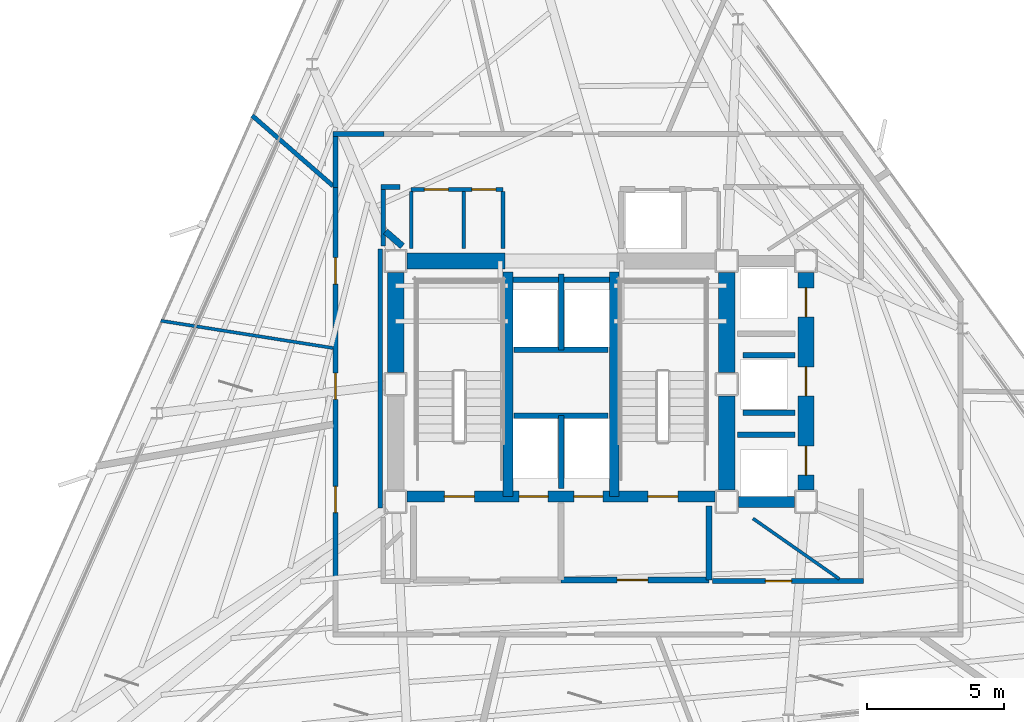
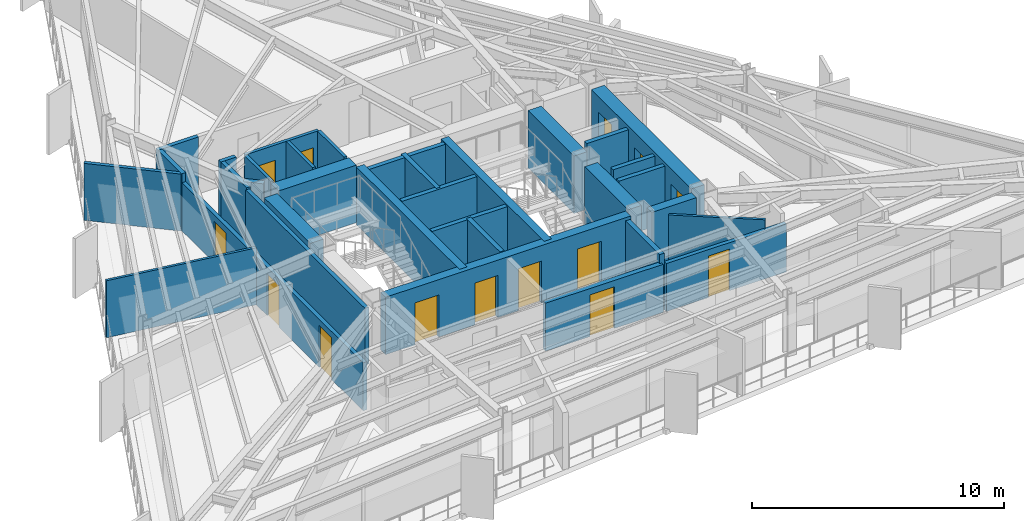
# One storey, part 8 of 12: 34 walls, 14 doors, 14 openings.
"""IFC4 building model written with IfcOpenShell, lengths in metres."""

from ifc_helpers import new_model, si_unit, direction, frame, frame_2d, origin, place, context, subcontext, project, spatial, rectangle, extrude, material, layer, layer_set, type_object, element, fill, save


model = new_model("IFC4")

# Units and contexts
model_context = context("Model", 3, precision=1e-05, world=origin(), true_north=direction((0.0, 1.0)))
body_context = subcontext(model_context, "Body", "Model", "MODEL_VIEW")
ifc_project = project(units=[si_unit("LENGTHUNIT", "METRE"), si_unit("AREAUNIT", "SQUARE_METRE"), si_unit("VOLUMEUNIT", "CUBIC_METRE"), si_unit("PLANEANGLEUNIT", "RADIAN"), si_unit("MASSUNIT", "GRAM", prefix="KILO")], contexts=[model_context])

# Site, building, storey
site_placement = place(None, origin())
site = spatial("IfcSite", under=ifc_project, at=site_placement, CompositionType="ELEMENT")
building_placement = place(site_placement, origin())
building = spatial("IfcBuilding", under=site, at=building_placement, Name="Rocaltana Carrier Exchange", CompositionType="ELEMENT")
storey_placement = place(building_placement, frame((0.0, 0.0, 116.800048828125)))
storey = spatial("IfcBuildingStorey", under=building, at=storey_placement, Name="L36", CompositionType="ELEMENT", Elevation=116.800048828125)

# Walls
ifc_material_1 = material(Name="Double Acoustic Gypsum Partition", Category="gypsum")
ifc_layer_1 = layer(ifc_material_1, 0.159912109375)
ifc_layer_set_1 = layer_set([ifc_layer_1], Name="Double Acoustic Gypsum Partition")
wall_type_1 = type_object("IfcWallType", Name="Acoustic Studio Partition 160 EI60", PredefinedType="PARTITIONING", material=ifc_layer_set_1)
wall_1_placement = place(storey_placement, frame((-8.330078125, 7.2412109375, 0.0), z_axis=(0.0, 0.0, 1.0), x_axis=(-0.754715330954, 0.656052413472, 0.0)))
element("IfcWall", 1, at=wall_1_placement, inside=storey, type_object=wall_type_1, Name="L36 Suite Divider Wall D14", PredefinedType="PARTITIONING", context=body_context, shape_type="SweptSolid", body=[
    extrude(rectangle(XDim=3.924560546875, YDim=0.159912109375, at=frame_2d((1.96240234375, 0.0))), origin(), (0.0, 0.0, 1.0), 2.762939453125),
])
ifc_material_2 = material(Name="Concrete C50/60", Category="concrete")
ifc_layer_2 = layer(ifc_material_2, 0.35009765625)
ifc_layer_set_2 = layer_set([ifc_layer_2], Name="Concrete C50/60")
wall_type_2 = type_object("IfcWallType", Name="Core Internal Shear Wall 350", PredefinedType="SHEAR", material=ifc_layer_set_2)
for number, where, z_axis, x_axis, name in (
    (2, (-1.93994140625, -4.10009765625, 0.0), (0.0, 0.0, 1.0), (0.0, 1.0, 0.0), "L36 Core Shear Wall CW-STW"),
    (3, (1.93994140625, -4.10009765625, 0.0), (0.0, 0.0, 1.0), (0.0, 1.0, 0.0), "L36 Core Shear Wall CW-STE"),
):
    element("IfcWall", number, at=place(storey_placement, frame(where, z_axis=z_axis, x_axis=x_axis)), inside=storey, type_object=wall_type_2, Name=name, PredefinedType="SHEAR", context=body_context, shape_type="SweptSolid", body=[
        extrude(rectangle(XDim=8.2001953125, YDim=0.35009765625, at=frame_2d((4.10009765625, 0.0))), origin(), (0.0, 0.0, 1.0), 2.787841796875),
    ])

# Wall, openings, doors
ifc_material_3 = material(Name="Concrete C50/60", Category="concrete")
ifc_layer_3 = layer(ifc_material_3, 0.39990234375)
ifc_layer_set_3 = layer_set([ifc_layer_3], Name="Concrete C50/60")
wall_type_3 = type_object("IfcWallType", Name="Core Internal Shear Wall 400", PredefinedType="SHEAR", material=ifc_layer_set_3)
wall_2_placement = place(storey_placement, frame((-5.625, -4.10009765625, 0.0), z_axis=(0.0, 0.0, 1.0), x_axis=(1.0, 0.0, 0.0)))
wall_2 = element("IfcWall", 4, at=wall_2_placement, inside=storey, type_object=wall_type_3, Name="L36 Core Shear Wall CW-S", PredefinedType="SHEAR", context=body_context, shape_type="SweptSolid", body=[
    extrude(rectangle(XDim=11.25, YDim=0.39990234375, at=frame_2d((5.625, 0.0))), origin(), (0.0, 0.0, 1.0), 2.787841796875),
])
opening_1_placement = place(wall_2_placement, frame((1.35498046875, 0.0, 0.0)))
opening_1 = element("IfcOpeningElement", 5, at=opening_1_placement, cuts=wall_2, Name="Opening D-ST110", PredefinedType="OPENING", context=body_context, shape_type="SweptSolid", body=[
    extrude(rectangle(XDim=1.10009765625, YDim=2.0400390625, at=frame_2d((0.550048828125, 1.02001953125))), frame((0.0, 0.2099609375, 0.0), z_axis=(0.0, -1.0, 0.0), x_axis=(1.0, 0.0, 0.0)), (0.0, 0.0, 1.0), 0.419921875),
])
opening_2_placement = place(wall_2_placement, frame((8.794921875, 0.0, 0.0)))
opening_2 = element("IfcOpeningElement", 6, at=opening_2_placement, cuts=wall_2, Name="Opening D-ST110", PredefinedType="OPENING", context=body_context, shape_type="SweptSolid", body=[
    extrude(rectangle(XDim=1.10009765625, YDim=2.0400390625, at=frame_2d((0.550048828125, 1.02001953125))), frame((0.0, 0.2099609375, 0.0), z_axis=(0.0, -1.0, 0.0), x_axis=(1.0, 0.0, 0.0)), (0.0, 0.0, 1.0), 0.419921875),
])
opening_3_placement = place(wall_2_placement, frame((4.094970703125, 0.0, 0.0)))
opening_3 = element("IfcOpeningElement", 7, at=opening_3_placement, cuts=wall_2, Name="Opening LD-110", PredefinedType="OPENING", context=body_context, shape_type="SweptSolid", body=[
    extrude(rectangle(XDim=1.06005859375, YDim=2.0400390625, at=frame_2d((0.530029296875, 1.02001953125))), frame((0.0, 0.2099609375, 0.0), z_axis=(0.0, -1.0, 0.0), x_axis=(1.0, 0.0, 0.0)), (0.0, 0.0, 1.0), 0.419921875),
])
opening_4_placement = place(wall_2_placement, frame((6.094970703125, 0.0, 0.0)))
opening_4 = element("IfcOpeningElement", 8, at=opening_4_placement, cuts=wall_2, Name="Opening LD-110", PredefinedType="OPENING", context=body_context, shape_type="SweptSolid", body=[
    extrude(rectangle(XDim=1.06005859375, YDim=2.0400390625, at=frame_2d((0.530029296875, 1.02001953125))), frame((0.0, 0.2099609375, 0.0), z_axis=(0.0, -1.0, 0.0), x_axis=(1.0, 0.0, 0.0)), (0.0, 0.0, 1.0), 0.419921875),
])
ifc_material_4 = material(Name="Hollow Metal Fire Door Assembly", Category="steel")
door_type_1 = type_object("IfcDoorType", Name="Exit Stair Fire Door 1100x2040 FD90S", OperationType="NOTDEFINED", PredefinedType="DOOR", material=ifc_material_4)
door_1_placement = place(opening_1_placement, origin())
door_1 = element("IfcDoor", 9, at=door_1_placement, inside=storey, type_object=door_type_1, Name="L36 Exit Stair ST1 Fire Door", OperationType="SINGLE_SWING_LEFT", OverallHeight=2.0400390625, OverallWidth=1.10009765625, PredefinedType="DOOR", context=body_context, shape_type="SweptSolid", body=[
    extrude(rectangle(XDim=1.10009765625, YDim=2.0400390625, at=frame_2d((0.550048828125, 1.02001953125))), frame((0.0, 0.02490234375, 0.0), z_axis=(0.0, -1.0, 0.0), x_axis=(1.0, 0.0, 0.0)), (0.0, 0.0, 1.0), 0.050048828125),
])
fill(opening_1, door_1)
door_2_placement = place(opening_2_placement, origin())
door_2 = element("IfcDoor", 10, at=door_2_placement, inside=storey, type_object=door_type_1, Name="L36 Exit Stair ST2 Fire Door", OperationType="SINGLE_SWING_RIGHT", OverallHeight=2.0400390625, OverallWidth=1.10009765625, PredefinedType="DOOR", context=body_context, shape_type="SweptSolid", body=[
    extrude(rectangle(XDim=1.10009765625, YDim=2.0400390625, at=frame_2d((0.550048828125, 1.02001953125))), frame((0.0, 0.02490234375, 0.0), z_axis=(0.0, -1.0, 0.0), x_axis=(1.0, 0.0, 0.0)), (0.0, 0.0, 1.0), 0.050048828125),
])
fill(opening_2, door_2)
ifc_material_5 = material(Name="Brushed Stainless Sliding Door Leaf", Category="steel")
door_type_2 = type_object("IfcDoorType", Name="Lift Landing Sliding Door 1060x2040", OperationType="NOTDEFINED", PredefinedType="DOOR", material=ifc_material_5)
door_3_placement = place(opening_3_placement, origin())
door_3 = element("IfcDoor", 11, at=door_3_placement, inside=storey, type_object=door_type_2, Name="L36 Firefighting Lift FFL1 Landing Door", OperationType="SLIDING_TO_LEFT", OverallHeight=2.0400390625, OverallWidth=1.06005859375, PredefinedType="DOOR", context=body_context, shape_type="SweptSolid", body=[
    extrude(rectangle(XDim=1.06005859375, YDim=2.0400390625, at=frame_2d((0.530029296875, 1.02001953125))), frame((0.0, 0.02490234375, 0.0), z_axis=(0.0, -1.0, 0.0), x_axis=(1.0, 0.0, 0.0)), (0.0, 0.0, 1.0), 0.050048828125),
])
fill(opening_3, door_3)
door_4_placement = place(opening_4_placement, origin())
door_4 = element("IfcDoor", 12, at=door_4_placement, inside=storey, type_object=door_type_2, Name="L36 Firefighting Lift FFL2 Landing Door", OperationType="SLIDING_TO_RIGHT", OverallHeight=2.0400390625, OverallWidth=1.06005859375, PredefinedType="DOOR", context=body_context, shape_type="SweptSolid", body=[
    extrude(rectangle(XDim=1.06005859375, YDim=2.0400390625, at=frame_2d((0.530029296875, 1.02001953125))), frame((0.0, 0.02490234375, 0.0), z_axis=(0.0, -1.0, 0.0), x_axis=(1.0, 0.0, 0.0)), (0.0, 0.0, 1.0), 0.050048828125),
])
fill(opening_4, door_4)

# Walls
wall_3_placement = place(storey_placement, frame((6.47509765625, -4.300048828125, 0.0), z_axis=(0.0, 0.0, 1.0), x_axis=(1.0, 0.0, 0.0)))
element("IfcWall", 13, at=wall_3_placement, inside=storey, type_object=wall_type_3, Name="L36 Core Shear Wall CW-EWS", PredefinedType="SHEAR", context=body_context, shape_type="SweptSolid", body=[
    extrude(rectangle(XDim=2.0498046875, YDim=0.39990234375, at=frame_2d((1.02490234375, 0.0))), origin(), (0.0, 0.0, 1.0), 2.787841796875),
])
ifc_material_6 = material(Name="Concrete C50/60", Category="concrete")
ifc_layer_4 = layer(ifc_material_6, 0.60009765625)
ifc_layer_set_4 = layer_set([ifc_layer_4], Name="Concrete C50/60")
wall_type_4 = type_object("IfcWallType", Name="Core Shear Wall 600", PredefinedType="SHEAR", material=ifc_layer_set_4)
for number, where, z_axis, x_axis, name in (
    (14, (-6.050048828125, 0.425048828125, 0.0), (0.0, 0.0, 1.0), (0.0, 1.0, 0.0), "L36 Core Shear Wall CW-WN"),
    (15, (6.050048828125, 0.425048828125, 0.0), (0.0, 0.0, 1.0), (0.0, 1.0, 0.0), "L36 Core Shear Wall CW-EN"),
):
    element("IfcWall", number, at=place(storey_placement, frame(where, z_axis=z_axis, x_axis=x_axis)), inside=storey, type_object=wall_type_4, Name=name, PredefinedType="SHEAR", context=body_context, shape_type="SweptSolid", body=[
        extrude(rectangle(XDim=3.64990234375, YDim=0.60009765625, at=frame_2d((1.824951171875, 0.0))), origin(), (0.0, 0.0, 1.0), 2.787841796875),
    ])
wall_4_placement = place(storey_placement, frame((6.050048828125, -3.875, 0.0), z_axis=(0.0, 0.0, 1.0), x_axis=(0.0, 1.0, 0.0)))
element("IfcWall", 16, at=wall_4_placement, inside=storey, type_object=wall_type_4, Name="L36 Core Shear Wall CW-ES", PredefinedType="SHEAR", context=body_context, shape_type="SweptSolid", body=[
    extrude(rectangle(XDim=3.449951171875, YDim=0.60009765625, at=frame_2d((1.72509765625, 0.0))), origin(), (0.0, 0.0, 1.0), 2.787841796875),
])
wall_5_placement = place(storey_placement, frame((-5.625, 4.5, 0.0), z_axis=(0.0, 0.0, 1.0), x_axis=(1.0, 0.0, 0.0)))
element("IfcWall", 17, at=wall_5_placement, inside=storey, type_object=wall_type_4, Name="L36 Core Shear Wall CW-N1", PredefinedType="SHEAR", context=body_context, shape_type="SweptSolid", body=[
    extrude(rectangle(XDim=3.574951171875, YDim=0.60009765625, at=frame_2d((1.78759765625, 0.0))), origin(), (0.0, 0.0, 1.0), 2.787841796875),
])

# Wall, openings, doors
wall_6_placement = place(storey_placement, frame((8.949951171875, -3.875, 0.0), z_axis=(0.0, 0.0, 1.0), x_axis=(0.0, 1.0, 0.0)))
wall_6 = element("IfcWall", 18, at=wall_6_placement, inside=storey, type_object=wall_type_4, Name="L36 Core Shear Wall CW-EW", PredefinedType="SHEAR", context=body_context, shape_type="SweptSolid", body=[
    extrude(rectangle(XDim=7.949951171875, YDim=0.60009765625, at=frame_2d((3.97509765625, 0.0))), origin(), (0.0, 0.0, 1.0), 2.787841796875),
])
opening_5_placement = place(wall_6_placement, frame((0.550048828125, 0.0, 0.0)))
opening_5 = element("IfcOpeningElement", 19, at=opening_5_placement, cuts=wall_6, Name="Opening LD-110", PredefinedType="OPENING", context=body_context, shape_type="SweptSolid", body=[
    extrude(rectangle(XDim=1.06005859375, YDim=2.0400390625, at=frame_2d((0.530029296875, 1.02001953125))), frame((0.0, 0.31005859375, 0.0), z_axis=(0.0, -1.0, 0.0), x_axis=(1.0, 0.0, 0.0)), (0.0, 0.0, 1.0), 0.6201171875),
])
opening_6_placement = place(wall_6_placement, frame((3.445068359375, 0.0, 0.0)))
opening_6 = element("IfcOpeningElement", 20, at=opening_6_placement, cuts=wall_6, Name="Opening LD-110", PredefinedType="OPENING", context=body_context, shape_type="SweptSolid", body=[
    extrude(rectangle(XDim=1.06005859375, YDim=2.0400390625, at=frame_2d((0.530029296875, 1.02001953125))), frame((0.0, 0.31005859375, 0.0), z_axis=(0.0, -1.0, 0.0), x_axis=(1.0, 0.0, 0.0)), (0.0, 0.0, 1.0), 0.6201171875),
])
opening_7_placement = place(wall_6_placement, frame((6.330078125, 0.0, 0.0)))
opening_7 = element("IfcOpeningElement", 21, at=opening_7_placement, cuts=wall_6, Name="Opening LD-110", PredefinedType="OPENING", context=body_context, shape_type="SweptSolid", body=[
    extrude(rectangle(XDim=1.06005859375, YDim=2.0400390625, at=frame_2d((0.530029296875, 1.02001953125))), frame((0.0, 0.31005859375, 0.0), z_axis=(0.0, -1.0, 0.0), x_axis=(1.0, 0.0, 0.0)), (0.0, 0.0, 1.0), 0.6201171875),
])
door_5_placement = place(opening_5_placement, origin())
door_5 = element("IfcDoor", 22, at=door_5_placement, inside=storey, type_object=door_type_2, Name="L36 Mid-Rise Lift PL-M1 Landing Door", OperationType="SLIDING_TO_LEFT", OverallHeight=2.0400390625, OverallWidth=1.06005859375, PredefinedType="DOOR", context=body_context, shape_type="SweptSolid", body=[
    extrude(rectangle(XDim=1.06005859375, YDim=2.0400390625, at=frame_2d((0.530029296875, 1.02001953125))), frame((0.0, 0.02490234375, 0.0), z_axis=(0.0, -1.0, 0.0), x_axis=(1.0, 0.0, 0.0)), (0.0, 0.0, 1.0), 0.050048828125),
])
fill(opening_5, door_5)
door_6_placement = place(opening_6_placement, origin())
door_6 = element("IfcDoor", 23, at=door_6_placement, inside=storey, type_object=door_type_2, Name="L36 Mid-Rise Lift PL-M2 Landing Door", OperationType="SLIDING_TO_RIGHT", OverallHeight=2.0400390625, OverallWidth=1.06005859375, PredefinedType="DOOR", context=body_context, shape_type="SweptSolid", body=[
    extrude(rectangle(XDim=1.06005859375, YDim=2.0400390625, at=frame_2d((0.530029296875, 1.02001953125))), frame((0.0, 0.02490234375, 0.0), z_axis=(0.0, -1.0, 0.0), x_axis=(1.0, 0.0, 0.0)), (0.0, 0.0, 1.0), 0.050048828125),
])
fill(opening_6, door_6)
door_7_placement = place(opening_7_placement, origin())
door_7 = element("IfcDoor", 24, at=door_7_placement, inside=storey, type_object=door_type_2, Name="L36 Mid-Rise Lift PL-M3 Landing Door", OperationType="SLIDING_TO_LEFT", OverallHeight=2.0400390625, OverallWidth=1.06005859375, PredefinedType="DOOR", context=body_context, shape_type="SweptSolid", body=[
    extrude(rectangle(XDim=1.06005859375, YDim=2.0400390625, at=frame_2d((0.530029296875, 1.02001953125))), frame((0.0, 0.02490234375, 0.0), z_axis=(0.0, -1.0, 0.0), x_axis=(1.0, 0.0, 0.0)), (0.0, 0.0, 1.0), 0.050048828125),
])
fill(opening_7, door_7)

ifc_material_7 = material(Name="Gypsum & Steel Stud Partition", Category="steel")
ifc_layer_5 = layer(ifc_material_7, 0.179931640625)
ifc_layer_set_5 = layer_set([ifc_layer_5], Name="Gypsum & Steel Stud Partition")
wall_type_5 = type_object("IfcWallType", Name="Corridor Fire Partition 180 EI60", PredefinedType="PARTITIONING", material=ifc_layer_set_5)
wall_7_placement = place(storey_placement, frame((-8.25, -7.219970703125, 0.0), z_axis=(0.0, 0.0, 1.0), x_axis=(0.0, 1.0, 0.0)))
wall_7 = element("IfcWall", 25, at=wall_7_placement, inside=storey, type_object=wall_type_5, Name="L36 Corridor Partition 3", PredefinedType="PARTITIONING", context=body_context, shape_type="SweptSolid", body=[
    extrude(rectangle(XDim=14.43994140625, YDim=0.179931640625, at=frame_2d((7.219970703125, 0.0))), origin(), (0.0, 0.0, 1.0), 2.329833984375),
])
opening_8_placement = place(wall_7_placement, frame((6.665283203125, 0.0, 0.0)))
opening_8 = element("IfcOpeningElement", 26, at=opening_8_placement, cuts=wall_7, Name="Opening D-RM098", PredefinedType="OPENING", context=body_context, shape_type="SweptSolid", body=[
    extrude(rectangle(XDim=0.9599609375, YDim=2.02001953125, at=frame_2d((0.47998046875, 1.010009765625))), frame((0.0, 0.099853515625, 0.0), z_axis=(0.0, -1.0, 0.0), x_axis=(1.0, 0.0, 0.0)), (0.0, 0.0, 1.0), 0.199951171875),
])
opening_9_placement = place(wall_7_placement, frame((2.525146484375, 0.0, 0.0)))
opening_9 = element("IfcOpeningElement", 27, at=opening_9_placement, cuts=wall_7, Name="Opening D-RM098", PredefinedType="OPENING", context=body_context, shape_type="SweptSolid", body=[
    extrude(rectangle(XDim=0.9599609375, YDim=2.02001953125, at=frame_2d((0.47998046875, 1.010009765625))), frame((0.0, 0.099853515625, 0.0), z_axis=(0.0, -1.0, 0.0), x_axis=(1.0, 0.0, 0.0)), (0.0, 0.0, 1.0), 0.199951171875),
])
opening_10_placement = place(wall_7_placement, frame((10.8798828125, 0.0, 0.0)))
opening_10 = element("IfcOpeningElement", 28, at=opening_10_placement, cuts=wall_7, Name="Opening D-RM098", PredefinedType="OPENING", context=body_context, shape_type="SweptSolid", body=[
    extrude(rectangle(XDim=0.9599609375, YDim=2.02001953125, at=frame_2d((0.47998046875, 1.010009765625))), frame((0.0, 0.099853515625, 0.0), z_axis=(0.0, -1.0, 0.0), x_axis=(1.0, 0.0, 0.0)), (0.0, 0.0, 1.0), 0.199951171875),
])
ifc_material_8 = material(Name="Engineered Hardwood Timber", Category="wood")
door_type_3 = type_object("IfcDoorType", Name="Workspace Single Door 960x2020", OperationType="NOTDEFINED", PredefinedType="DOOR", material=ifc_material_8)
door_8_placement = place(opening_8_placement, origin())
door_8 = element("IfcDoor", 29, at=door_8_placement, inside=storey, type_object=door_type_3, Name="L36 Peering Conference Room Entrance Door", OperationType="SINGLE_SWING_RIGHT", OverallHeight=2.02001953125, OverallWidth=0.9599609375, PredefinedType="DOOR", context=body_context, shape_type="SweptSolid", body=[
    extrude(rectangle(XDim=0.9599609375, YDim=2.02001953125, at=frame_2d((0.47998046875, 1.010009765625))), frame((0.0, 0.02490234375, 0.0), z_axis=(0.0, -1.0, 0.0), x_axis=(1.0, 0.0, 0.0)), (0.0, 0.0, 1.0), 0.050048828125),
])
fill(opening_8, door_8)
door_9_placement = place(opening_9_placement, origin())
door_9 = element("IfcDoor", 30, at=door_9_placement, inside=storey, type_object=door_type_3, Name="L36 Incident Briefing Room Entrance Door", OperationType="SINGLE_SWING_LEFT", OverallHeight=2.02001953125, OverallWidth=0.9599609375, PredefinedType="DOOR", context=body_context, shape_type="SweptSolid", body=[
    extrude(rectangle(XDim=0.9599609375, YDim=2.02001953125, at=frame_2d((0.47998046875, 1.010009765625))), frame((0.0, 0.02490234375, 0.0), z_axis=(0.0, -1.0, 0.0), x_axis=(1.0, 0.0, 0.0)), (0.0, 0.0, 1.0), 0.050048828125),
])
fill(opening_9, door_9)
door_10_placement = place(opening_10_placement, origin())
door_10 = element("IfcDoor", 31, at=door_10_placement, inside=storey, type_object=door_type_3, Name="L36 Peering Conference Room Entrance Door", OperationType="SINGLE_SWING_RIGHT", OverallHeight=2.02001953125, OverallWidth=0.9599609375, PredefinedType="DOOR", context=body_context, shape_type="SweptSolid", body=[
    extrude(rectangle(XDim=0.9599609375, YDim=2.02001953125, at=frame_2d((0.47998046875, 1.010009765625))), frame((0.0, 0.02490234375, 0.0), z_axis=(0.0, -1.0, 0.0), x_axis=(1.0, 0.0, 0.0)), (0.0, 0.0, 1.0), 0.050048828125),
])
fill(opening_10, door_10)

# Walls
wall_8_placement = place(storey_placement, frame((-8.25, 7.179931640625, 0.0), z_axis=(0.0, 0.0, 1.0), x_axis=(0.0, 1.0, 0.0)))
element("IfcWall", 32, at=wall_8_placement, inside=storey, type_object=wall_type_5, Name="L36 Corridor Partition 4", PredefinedType="PARTITIONING", context=body_context, shape_type="SweptSolid", body=[
    extrude(rectangle(XDim=1.880126953125, YDim=0.179931640625, at=frame_2d((0.93994140625, 0.0))), origin(), (0.0, 0.0, 1.0), 2.762939453125),
])
wall_9_placement = place(storey_placement, frame((-8.340087890625, 9.14990234375, 0.0), z_axis=(0.0, 0.0, 1.0), x_axis=(1.0, 0.0, 0.0)))
element("IfcWall", 33, at=wall_9_placement, inside=storey, type_object=wall_type_5, Name="L36 Corridor Partition 5", PredefinedType="PARTITIONING", context=body_context, shape_type="SweptSolid", body=[
    extrude(rectangle(XDim=1.860107421875, YDim=0.179931640625, at=frame_2d((0.93017578125, 0.0))), origin(), (0.0, 0.0, 1.0), 2.762939453125),
])

# Wall, opening, door
wall_10_placement = place(storey_placement, frame((5.530029296875, -7.199951171875, 0.0), z_axis=(0.0, 0.0, 1.0), x_axis=(1.0, 0.0, 0.0)))
wall_10 = element("IfcWall", 34, at=wall_10_placement, inside=storey, type_object=wall_type_5, Name="L36 Corridor Partition 12", PredefinedType="PARTITIONING", context=body_context, shape_type="SweptSolid", body=[
    extrude(rectangle(XDim=5.52001953125, YDim=0.179931640625, at=frame_2d((2.760009765625, 0.0))), origin(), (0.0, 0.0, 1.0), 2.329833984375),
])
opening_11_placement = place(wall_10_placement, frame((1.939697265625, 0.0, 0.0)))
opening_11 = element("IfcOpeningElement", 35, at=opening_11_placement, cuts=wall_10, Name="Opening D-RM098", PredefinedType="OPENING", context=body_context, shape_type="SweptSolid", body=[
    extrude(rectangle(XDim=0.9599609375, YDim=2.02001953125, at=frame_2d((0.47998046875, 1.010009765625))), frame((0.0, 0.099853515625, 0.0), z_axis=(0.0, -1.0, 0.0), x_axis=(1.0, 0.0, 0.0)), (0.0, 0.0, 1.0), 0.199951171875),
])
door_11_placement = place(opening_11_placement, origin())
door_11 = element("IfcDoor", 36, at=door_11_placement, inside=storey, type_object=door_type_3, Name="L36 Peering Conference Room Entrance Door", OperationType="SINGLE_SWING_LEFT", OverallHeight=2.02001953125, OverallWidth=0.9599609375, PredefinedType="DOOR", context=body_context, shape_type="SweptSolid", body=[
    extrude(rectangle(XDim=0.9599609375, YDim=2.02001953125, at=frame_2d((0.47998046875, 1.010009765625))), frame((0.0, 0.02490234375, 0.0), z_axis=(0.0, -1.0, 0.0), x_axis=(1.0, 0.0, 0.0)), (0.0, 0.0, 1.0), 0.050048828125),
])
fill(opening_11, door_11)

# Walls
wall_11_placement = place(storey_placement, frame((-5.8798828125, 7.199951171875, 0.0), z_axis=(0.0, 0.0, 1.0), x_axis=(-1.0, 0.0, 0.0)))
element("IfcWall", 37, at=wall_11_placement, inside=storey, type_object=wall_type_5, Name="L36 Corridor Partition 16", PredefinedType="PARTITIONING", context=body_context, shape_type="SweptSolid", body=[
    extrude(rectangle(XDim=0.710205078125, YDim=0.179931640625, at=frame_2d((0.35498046875, 0.0))), origin(), (0.0, 0.0, 1.0), 2.762939453125),
])
wall_12_placement = place(storey_placement, frame((-6.5, 7.110107421875, 0.0), z_axis=(0.0, 0.0, 1.0), x_axis=(0.0, -1.0, 0.0)))
element("IfcWall", 38, at=wall_12_placement, inside=storey, type_object=wall_type_5, Name="L36 Corridor Partition 17", PredefinedType="PARTITIONING", context=body_context, shape_type="SweptSolid", body=[
    extrude(rectangle(XDim=2.058349609375, YDim=0.179931640625, at=frame_2d((1.029296875, 0.0))), origin(), (0.0, 0.0, 1.0), 2.762939453125),
])
wall_13_placement = place(storey_placement, frame((-6.610107421875, 4.93994140625, 0.0), z_axis=(0.0, 0.0, 1.0), x_axis=(0.0, -1.0, 0.0)))
element("IfcWall", 39, at=wall_13_placement, inside=storey, type_object=wall_type_5, Name="L36 Corridor Partition 18", PredefinedType="PARTITIONING", context=body_context, shape_type="SweptSolid", body=[
    extrude(rectangle(XDim=9.4599609375, YDim=0.179931640625, at=frame_2d((4.72998046875, 0.0))), origin(), (0.0, 0.0, 1.0), 2.762939453125),
])
ifc_material_9 = material(Name="Aluminium 6063-T6 & Acoustic Glass", Category="aluminium")
ifc_layer_6 = layer(ifc_material_9, 0.114990234375)
ifc_layer_set_6 = layer_set([ifc_layer_6], Name="Aluminium 6063-T6 & Acoustic Glass")
wall_type_6 = type_object("IfcWallType", Name="Demountable Glazed Lab Partition 115", PredefinedType="MOVABLE", material=ifc_layer_set_6)
wall_14_placement = place(storey_placement, frame((7.01220703125, -4.909912109375, 0.0), z_axis=(0.0, 0.0, 1.0), x_axis=(0.819130700295, -0.573606917526, 0.0)))
element("IfcWall", 40, at=wall_14_placement, inside=storey, type_object=wall_type_6, Name="L36 Suite Divider Wall D6", PredefinedType="MOVABLE", context=body_context, shape_type="SweptSolid", body=[
    extrude(rectangle(XDim=3.853271484375, YDim=0.114990234375, at=frame_2d((1.9267578125, 0.0))), origin(), (0.0, 0.0, 1.0), 2.762939453125),
])
wall_15_placement = place(storey_placement, frame((-8.330078125, 1.3193359375, 0.0), z_axis=(0.0, 0.0, 1.0), x_axis=(-0.987684953503, 0.156455848798, 0.0)))
element("IfcWall", 41, at=wall_15_placement, inside=storey, type_object=wall_type_6, Name="L36 Suite Divider Wall D15", PredefinedType="MOVABLE", context=body_context, shape_type="SweptSolid", body=[
    extrude(rectangle(XDim=6.379150390625, YDim=0.114990234375, at=frame_2d((3.189453125, 0.0))), origin(), (0.0, 0.0, 1.0), 2.762939453125),
])
ifc_material_10 = material(Name="Autoclaved Aerated Concrete C30/37", Category="concrete")
ifc_layer_7 = layer(ifc_material_10, 0.219970703125)
ifc_layer_set_7 = layer_set([ifc_layer_7], Name="Autoclaved Aerated Concrete C30/37")
wall_type_7 = type_object("IfcWallType", Name="Firefighting Lobby Wall 220 EI120", PredefinedType="PARTITIONING", material=ifc_layer_set_7)
wall_16_placement = place(storey_placement, frame((5.39990234375, -7.159912109375, 0.0), z_axis=(0.0, 0.0, 1.0), x_axis=(0.0, 1.0, 0.0)))
element("IfcWall", 42, at=wall_16_placement, inside=storey, type_object=wall_type_7, Name="L36 FFL Lobby 2 East Wall", PredefinedType="PARTITIONING", context=body_context, shape_type="SweptSolid", body=[
    extrude(rectangle(XDim=2.7099609375, YDim=0.219970703125, at=frame_2d((1.35498046875, 0.0))), origin(), (0.0, 0.0, 1.0), 2.762939453125),
])

# Wall, opening, door
wall_17_placement = place(storey_placement, frame((0.0, -7.159912109375, 0.0), z_axis=(0.0, 0.0, 1.0), x_axis=(1.0, 0.0, 0.0)))
wall_17 = element("IfcWall", 43, at=wall_17_placement, inside=storey, type_object=wall_type_7, Name="L36 FFL Lobby 2 South Wall", PredefinedType="PARTITIONING", context=body_context, shape_type="SweptSolid", body=[
    extrude(rectangle(XDim=5.39990234375, YDim=0.219970703125, at=frame_2d((2.699951171875, 0.0))), origin(), (0.0, 0.0, 1.0), 2.329833984375),
])
opening_12_placement = place(wall_17_placement, frame((2.050048828125, 0.0, 0.0)))
opening_12 = element("IfcOpeningElement", 44, at=opening_12_placement, cuts=wall_17, Name="Opening D-FF115", PredefinedType="OPENING", context=body_context, shape_type="SweptSolid", body=[
    extrude(rectangle(XDim=1.1201171875, YDim=2.02001953125, at=frame_2d((0.56005859375, 1.010009765625))), frame((0.0, 0.119873046875, 0.0), z_axis=(0.0, -1.0, 0.0), x_axis=(1.0, 0.0, 0.0)), (0.0, 0.0, 1.0), 0.239990234375),
])
ifc_material_11 = material(Name="Hollow Metal Fire Door Assembly", Category="steel")
door_type_4 = type_object("IfcDoorType", Name="Firefighting Lobby Door 1120x2020 FD60S", OperationType="NOTDEFINED", PredefinedType="DOOR", material=ifc_material_11)
door_12_placement = place(opening_12_placement, origin())
door_12 = element("IfcDoor", 45, at=door_12_placement, inside=storey, type_object=door_type_4, Name="L36 Firefighting Lift Lobby 2 Door", OperationType="SINGLE_SWING_RIGHT", OverallHeight=2.02001953125, OverallWidth=1.1201171875, PredefinedType="DOOR", context=body_context, shape_type="SweptSolid", body=[
    extrude(rectangle(XDim=1.1201171875, YDim=2.02001953125, at=frame_2d((0.56005859375, 1.010009765625))), frame((0.0, 0.02490234375, 0.0), z_axis=(0.0, -1.0, 0.0), x_axis=(1.0, 0.0, 0.0)), (0.0, 0.0, 1.0), 0.050048828125),
])
fill(opening_12, door_12)

# Walls
ifc_material_12 = material(Name="Acoustic Calcium Silicate Partition", Category="gypsum")
ifc_layer_8 = layer(ifc_material_12, 0.239990234375)
ifc_layer_set_8 = layer_set([ifc_layer_8], Name="Acoustic Calcium Silicate Partition")
wall_type_8 = type_object("IfcWallType", Name="Heavy Lab Partition 240 EI90", PredefinedType="PARTITIONING", material=ifc_layer_set_8)
wall_18_placement = place(storey_placement, frame((-5.800048828125, 5.0419921875, 0.0), z_axis=(0.0, 0.0, 1.0), x_axis=(-0.754727098443, 0.65603887604, 0.0)))
element("IfcWall", 46, at=wall_18_placement, inside=storey, type_object=wall_type_8, Name="L36 Suite Divider Wall D13", PredefinedType="PARTITIONING", context=body_context, shape_type="SweptSolid", body=[
    extrude(rectangle(XDim=0.8212890625, YDim=0.239990234375, at=frame_2d((0.41064453125, 0.0))), origin(), (0.0, 0.0, 1.0), 2.762939453125),
])
ifc_material_13 = material(Name="Reinforced Concrete Block C35/45", Category="concrete")
ifc_layer_9 = layer(ifc_material_13, 0.199951171875)
ifc_layer_set_9 = layer_set([ifc_layer_9], Name="Reinforced Concrete Block C35/45")
wall_type_9 = type_object("IfcWallType", Name="Lift Hoistway Enclosure Wall 200 EI120", PredefinedType="PARTITIONING", material=ifc_layer_set_9)
wall_19_placement = place(storey_placement, frame((0.0, -3.820068359375, 0.0), z_axis=(0.0, 0.0, 1.0), x_axis=(0.0, 1.0, 0.0)))
element("IfcWall", 47, at=wall_19_placement, inside=storey, type_object=wall_type_9, Name="L36 FFL Shaft Divider", PredefinedType="PARTITIONING", context=body_context, shape_type="SweptSolid", body=[
    extrude(rectangle(XDim=2.670166015625, YDim=0.199951171875, at=frame_2d((1.3349609375, 0.0))), origin(), (0.0, 0.0, 1.0), 2.762939453125),
])
wall_20_placement = place(storey_placement, frame((-1.719970703125, -1.14990234375, 0.0), z_axis=(0.0, 0.0, 1.0), x_axis=(1.0, 0.0, 0.0)))
element("IfcWall", 48, at=wall_20_placement, inside=storey, type_object=wall_type_9, Name="L36 FFL Shaft Back Wall", PredefinedType="PARTITIONING", context=body_context, shape_type="SweptSolid", body=[
    extrude(rectangle(XDim=3.43994140625, YDim=0.199951171875, at=frame_2d((1.719970703125, 0.0))), origin(), (0.0, 0.0, 1.0), 2.762939453125),
])
wall_21_placement = place(storey_placement, frame((0.0, 1.25, 0.0), z_axis=(0.0, 0.0, 1.0), x_axis=(0.0, 1.0, 0.0)))
element("IfcWall", 49, at=wall_21_placement, inside=storey, type_object=wall_type_9, Name="L36 High-Rise Shaft Divider", PredefinedType="PARTITIONING", context=body_context, shape_type="SweptSolid", body=[
    extrude(rectangle(XDim=2.77001953125, YDim=0.199951171875, at=frame_2d((1.385009765625, 0.0))), origin(), (0.0, 0.0, 1.0), 2.762939453125),
])
wall_22_placement = place(storey_placement, frame((-1.719970703125, 1.25, 0.0), z_axis=(0.0, 0.0, 1.0), x_axis=(1.0, 0.0, 0.0)))
element("IfcWall", 50, at=wall_22_placement, inside=storey, type_object=wall_type_9, Name="L36 High-Rise Shaft Back Wall", PredefinedType="PARTITIONING", context=body_context, shape_type="SweptSolid", body=[
    extrude(rectangle(XDim=3.43994140625, YDim=0.199951171875, at=frame_2d((1.719970703125, 0.0))), origin(), (0.0, 0.0, 1.0), 2.762939453125),
])
wall_23_placement = place(storey_placement, frame((-1.760009765625, 3.820068359375, 0.0), z_axis=(0.0, 0.0, 1.0), x_axis=(1.0, 0.0, 0.0)))
element("IfcWall", 51, at=wall_23_placement, inside=storey, type_object=wall_type_9, Name="L36 High-Rise Lift Front Wall", PredefinedType="PARTITIONING", context=body_context, shape_type="SweptSolid", body=[
    extrude(rectangle(XDim=3.52001953125, YDim=0.199951171875, at=frame_2d((1.760009765625, 0.0))), origin(), (0.0, 0.0, 1.0), 2.762939453125),
])
wall_24_placement = place(storey_placement, frame((6.449951171875, -1.85009765625, 0.0), z_axis=(0.0, 0.0, 1.0), x_axis=(1.0, 0.0, 0.0)))
element("IfcWall", 52, at=wall_24_placement, inside=storey, type_object=wall_type_9, Name="L36 Mid-Rise Shaft Divider 1", PredefinedType="PARTITIONING", context=body_context, shape_type="SweptSolid", body=[
    extrude(rectangle(XDim=2.10009765625, YDim=0.199951171875, at=frame_2d((1.050048828125, 0.0))), origin(), (0.0, 0.0, 1.0), 2.762939453125),
])
for number, where, z_axis, x_axis, name in (
    (53, (6.639892578125, -1.050048828125, 0.0), (0.0, 0.0, 1.0), (1.0, 0.0, 0.0), "L36 Mid-Rise Center Shaft Wall South"),
    (54, (6.639892578125, 1.050048828125, 0.0), (0.0, 0.0, 1.0), (1.0, 0.0, 0.0), "L36 Mid-Rise Center Shaft Wall North"),
):
    element("IfcWall", number, at=place(storey_placement, frame(where, z_axis=z_axis, x_axis=x_axis)), inside=storey, type_object=wall_type_9, Name=name, PredefinedType="PARTITIONING", context=body_context, shape_type="SweptSolid", body=[
        extrude(rectangle(XDim=1.91015625, YDim=0.199951171875, at=frame_2d((0.955078125, 0.0))), origin(), (0.0, 0.0, 1.0), 2.762939453125),
    ])
ifc_material_14 = material(Name="Moisture-Resistant Masonry C30/37", Category="masonry")
ifc_layer_10 = layer(ifc_material_14, 0.139892578125)
ifc_layer_set_10 = layer_set([ifc_layer_10], Name="Moisture-Resistant Masonry C30/37")
wall_type_10 = type_object("IfcWallType", Name="Wet-Area Sanitary Partition 140", PredefinedType="PARTITIONING", material=ifc_layer_set_10)
for number, where, z_axis, x_axis, name in (
    (55, (-5.47998046875, 4.949951171875, 0.0), (0.0, 0.0, 1.0), (0.0, 1.0, 0.0), "L36 Sanitary West Wall"),
    (56, (-3.56005859375, 4.949951171875, 0.0), (0.0, 0.0, 1.0), (0.0, 1.0, 0.0), "L36 Sanitary Divider"),
    (57, (-2.1201171875, 4.949951171875, 0.0), (0.0, 0.0, 1.0), (0.0, 1.0, 0.0), "L36 Sanitary East Wall"),
):
    element("IfcWall", number, at=place(storey_placement, frame(where, z_axis=z_axis, x_axis=x_axis)), inside=storey, type_object=wall_type_10, Name=name, PredefinedType="PARTITIONING", context=body_context, shape_type="SweptSolid", body=[
        extrude(rectangle(XDim=2.10009765625, YDim=0.139892578125, at=frame_2d((1.050048828125, 0.0))), origin(), (0.0, 0.0, 1.0), 2.762939453125),
    ])

# Wall, openings, doors
wall_25_placement = place(storey_placement, frame((-5.47998046875, 7.1201171875, 0.0), z_axis=(0.0, 0.0, 1.0), x_axis=(1.0, 0.0, 0.0)))
wall_25 = element("IfcWall", 58, at=wall_25_placement, inside=storey, type_object=wall_type_10, Name="L36 Sanitary North Wall", PredefinedType="PARTITIONING", context=body_context, shape_type="SweptSolid", body=[
    extrude(rectangle(XDim=3.35986328125, YDim=0.139892578125, at=frame_2d((1.679931640625, 0.0))), origin(), (0.0, 0.0, 1.0), 2.762939453125),
])
opening_13_placement = place(wall_25_placement, frame((0.47998046875, 0.0, 0.0)))
opening_13 = element("IfcOpeningElement", 59, at=opening_13_placement, cuts=wall_25, Name="Opening D-WC090", PredefinedType="OPENING", context=body_context, shape_type="SweptSolid", body=[
    extrude(rectangle(XDim=0.8798828125, YDim=2.02001953125, at=frame_2d((0.43994140625, 1.010009765625))), frame((0.0, 0.079833984375, 0.0), z_axis=(0.0, -1.0, 0.0), x_axis=(1.0, 0.0, 0.0)), (0.0, 0.0, 1.0), 0.159912109375),
])
opening_14_placement = place(wall_25_placement, frame((2.219970703125, 0.0, 0.0)))
opening_14 = element("IfcOpeningElement", 60, at=opening_14_placement, cuts=wall_25, Name="Opening D-WC090", PredefinedType="OPENING", context=body_context, shape_type="SweptSolid", body=[
    extrude(rectangle(XDim=0.8798828125, YDim=2.02001953125, at=frame_2d((0.43994140625, 1.010009765625))), frame((0.0, 0.079833984375, 0.0), z_axis=(0.0, -1.0, 0.0), x_axis=(1.0, 0.0, 0.0)), (0.0, 0.0, 1.0), 0.159912109375),
])
ifc_material_15 = material(Name="High-Pressure Laminate Timber", Category="wood")
door_type_5 = type_object("IfcDoorType", Name="Restroom & Accessible WC Door 880x2020", OperationType="NOTDEFINED", PredefinedType="DOOR", material=ifc_material_15)
door_13_placement = place(opening_13_placement, origin())
door_13 = element("IfcDoor", 61, at=door_13_placement, inside=storey, type_object=door_type_5, Name="L36 Accessible Toilet Door", OperationType="SINGLE_SWING_LEFT", OverallHeight=2.02001953125, OverallWidth=0.8798828125, PredefinedType="DOOR", context=body_context, shape_type="SweptSolid", body=[
    extrude(rectangle(XDim=0.8798828125, YDim=2.02001953125, at=frame_2d((0.43994140625, 1.010009765625))), frame((0.0, 0.02490234375, 0.0), z_axis=(0.0, -1.0, 0.0), x_axis=(1.0, 0.0, 0.0)), (0.0, 0.0, 1.0), 0.050048828125),
])
fill(opening_13, door_13)
door_14_placement = place(opening_14_placement, origin())
door_14 = element("IfcDoor", 62, at=door_14_placement, inside=storey, type_object=door_type_5, Name="L36 Staff Restroom Door", OperationType="SINGLE_SWING_RIGHT", OverallHeight=2.02001953125, OverallWidth=0.8798828125, PredefinedType="DOOR", context=body_context, shape_type="SweptSolid", body=[
    extrude(rectangle(XDim=0.8798828125, YDim=2.02001953125, at=frame_2d((0.43994140625, 1.010009765625))), frame((0.0, 0.02490234375, 0.0), z_axis=(0.0, -1.0, 0.0), x_axis=(1.0, 0.0, 0.0)), (0.0, 0.0, 1.0), 0.050048828125),
])
fill(opening_14, door_14)

save(model, "model.ifc")
